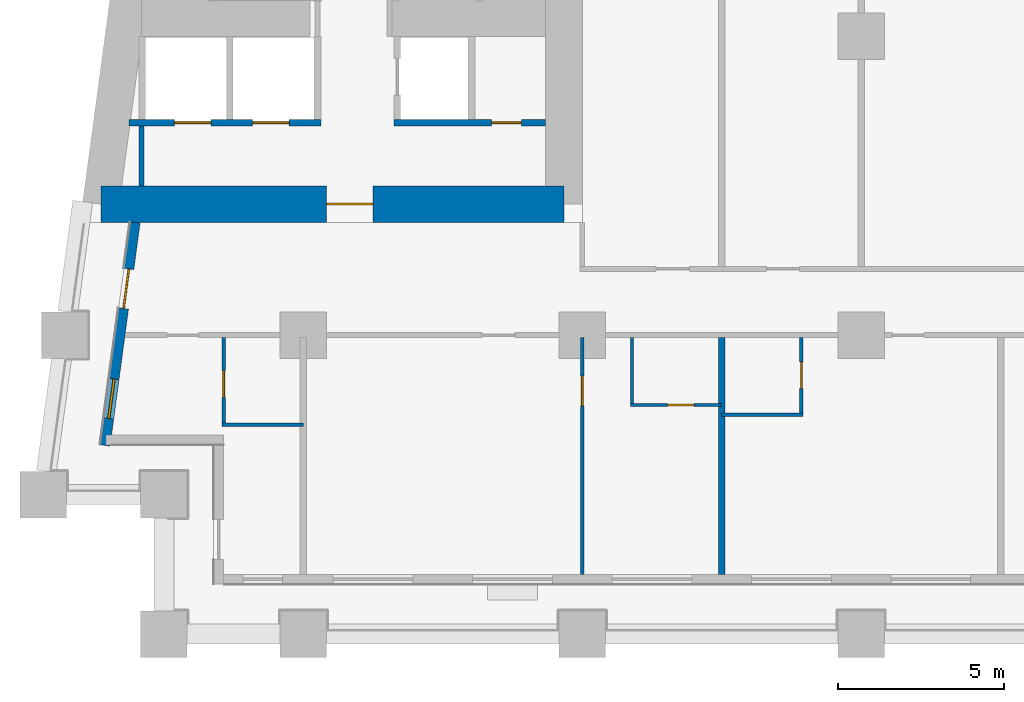
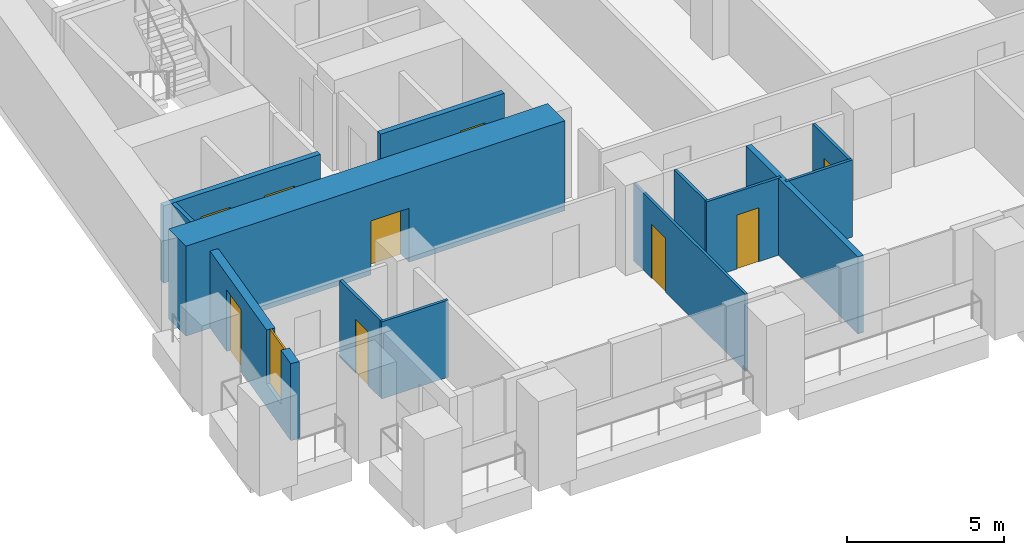
# One storey, part 2 of 12: 13 walls, 9 doors, 1 window, 10 openings.
"""IFC4 building model written with IfcOpenShell, lengths in metres."""

from ifc_helpers import new_model, si_unit, direction, frame, frame_2d, origin, place, context, subcontext, project, spatial, rectangle, extrude, material, layer, layer_set, type_object, element, fill, save


model = new_model("IFC4")

# Units and contexts
model_context = context("Model", 3, precision=1e-05, world=origin(), true_north=direction((0.0, 1.0)))
body_context = subcontext(model_context, "Body", "Model", "MODEL_VIEW")
ifc_project = project(units=[si_unit("LENGTHUNIT", "METRE"), si_unit("AREAUNIT", "SQUARE_METRE"), si_unit("VOLUMEUNIT", "CUBIC_METRE"), si_unit("PLANEANGLEUNIT", "RADIAN"), si_unit("MASSUNIT", "GRAM", prefix="KILO")], contexts=[model_context])

# Site, building, storey
site_placement = place(None, origin())
site = spatial("IfcSite", under=ifc_project, at=site_placement, CompositionType="ELEMENT")
building_placement = place(site_placement, origin())
building = spatial("IfcBuilding", under=site, at=building_placement, Name="Candeia Pilgrim Tower and Theatre", CompositionType="ELEMENT")
storey_placement = place(building_placement, frame((0.0, 0.0, 77.5)))
storey = spatial("IfcBuildingStorey", under=building, at=storey_placement, Name="L17", CompositionType="ELEMENT", Elevation=77.5)

# Wall, opening, door
ifc_material_1 = material(Name="Concrete C80/95", Category="concrete")
ifc_layer_1 = layer(ifc_material_1, 1.10009765625)
ifc_layer_set_1 = layer_set([ifc_layer_1], Name="Core wall 1100 C80/95")
wall_type_1 = type_object("IfcWallType", Name="Core wall 1100 C80/95", PredefinedType="SHEAR", material=ifc_layer_set_1)
wall_1_placement = place(storey_placement, frame((100.25, 110.949951171875, 0.0), z_axis=(0.0, 0.0, 1.0), x_axis=(-1.0, 0.0, 0.0)))
wall_1 = element("IfcWall", 1, at=wall_1_placement, inside=storey, type_object=wall_type_1, Name="Core wall W3", PredefinedType="SHEAR", context=body_context, shape_type="SweptSolid", body=[
    extrude(rectangle(XDim=13.95166015625, YDim=1.10009765625, at=frame_2d((6.975830078125, 0.0))), origin(), (0.0, 0.0, 1.0), 3.5),
])
opening_1_placement = place(wall_1_placement, frame((5.74755859375, 0.0, 0.0)))
opening_1 = element("IfcOpeningElement", 2, at=opening_1_placement, cuts=wall_1, Name="Opening L17-D046", PredefinedType="OPENING", context=body_context, shape_type="SweptSolid", body=[
    extrude(rectangle(XDim=1.39990234375, YDim=2.10009765625, at=frame_2d((0.699951171875, 1.050048828125))), frame((0.0, 0.56005859375, 0.0), z_axis=(0.0, -1.0, 0.0), x_axis=(1.0, 0.0, 0.0)), (0.0, 0.0, 1.0), 1.1201171875),
])
ifc_material_2 = material(Name="Steel fire door set", Category="steel")
door_type_1 = type_object("IfcDoorType", Name="D-1400-FD60", OperationType="NOTDEFINED", PredefinedType="DOOR", material=ifc_material_2)
door_1_placement = place(opening_1_placement, origin())
door_1 = element("IfcDoor", 3, at=door_1_placement, inside=storey, type_object=door_type_1, Name="Door L17-D046", OperationType="SINGLE_SWING_LEFT", OverallHeight=2.10009765625, OverallWidth=1.39990234375, PredefinedType="DOOR", context=body_context, shape_type="SweptSolid", body=[
    extrude(rectangle(XDim=1.39990234375, YDim=2.10009765625, at=frame_2d((0.699951171875, 1.050048828125))), frame((0.0, 0.02490234375, 0.0), z_axis=(0.0, -1.0, 0.0), x_axis=(1.0, 0.0, 0.0)), (0.0, 0.0, 1.0), 0.050048828125),
])
fill(opening_1, door_1)

# Wall, openings, door, window
ifc_material_3 = material(Name="Ceramic block masonry", Category="masonry")
ifc_layer_2 = layer(ifc_material_3, 0.300048828125)
ifc_layer_set_2 = layer_set([ifc_layer_2], Name="EW1 glazing-line wall 300")
wall_type_2 = type_object("IfcWallType", Name="EW1 glazing-line wall 300", PredefinedType="SOLIDWALL", material=ifc_layer_set_2)
wall_2_placement = place(storey_placement, frame((87.334228515625, 110.39990234375, 0.0), z_axis=(0.0, 0.0, 1.0), x_axis=(-0.133437175554, -0.991057273915, 0.0)))
wall_2 = element("IfcWall", 4, at=wall_2_placement, inside=storey, type_object=wall_type_2, Name="External wall L17-9.1", PredefinedType="SOLIDWALL", context=body_context, shape_type="SweptSolid", body=[
    extrude(rectangle(XDim=6.780517578125, YDim=0.300048828125, at=frame_2d((3.39013671875, 0.0))), origin(), (0.0, 0.0, 1.0), 3.0),
])
opening_2_placement = place(wall_2_placement, frame((1.41796875, 0.0, 0.0)))
opening_2 = element("IfcOpeningElement", 5, at=opening_2_placement, cuts=wall_2, Name="Opening L17-ED192", PredefinedType="OPENING", context=body_context, shape_type="SweptSolid", body=[
    extrude(rectangle(XDim=1.199951171875, YDim=2.39990234375, at=frame_2d((0.60009765625, 1.199951171875))), frame((0.0, 0.16015625, 0.0), z_axis=(0.0, -1.0, 0.0), x_axis=(1.0, 0.0, 0.0)), (0.0, 0.0, 1.0), 0.320068359375),
])
opening_3_placement = place(wall_2_placement, frame((4.75830078125, 0.0, 0.89990234375)))
opening_3 = element("IfcOpeningElement", 6, at=opening_3_placement, cuts=wall_2, Name="Opening W-B", PredefinedType="OPENING", context=body_context, shape_type="SweptSolid", body=[
    extrude(rectangle(XDim=1.199951171875, YDim=2.10009765625, at=frame_2d((0.60009765625, 1.050048828125))), frame((0.0, 0.16015625, 0.0), z_axis=(0.0, -1.0, 0.0), x_axis=(1.0, 0.0, 0.0)), (0.0, 0.0, 1.0), 0.320068359375),
])
ifc_material_4 = material(Name="Aluminium framed glazed door", Category="aluminium")
door_type_2 = type_object("IfcDoorType", Name="Loggia door 1200x2400", OperationType="DOUBLE_DOOR_SINGLE_SWING", PredefinedType="DOOR", material=ifc_material_4)
door_2_placement = place(opening_2_placement, origin())
door_2 = element("IfcDoor", 7, at=door_2_placement, inside=storey, type_object=door_type_2, Name="Loggia door L17-ED192", OperationType="DOUBLE_DOOR_SINGLE_SWING", OverallHeight=2.39990234375, OverallWidth=1.199951171875, PredefinedType="DOOR", context=body_context, shape_type="SweptSolid", body=[
    extrude(rectangle(XDim=1.199951171875, YDim=2.39990234375, at=frame_2d((0.60009765625, 1.199951171875))), frame((0.0, 0.02490234375, 0.0), z_axis=(0.0, -1.0, 0.0), x_axis=(1.0, 0.0, 0.0)), (0.0, 0.0, 1.0), 0.050048828125),
])
fill(opening_2, door_2)
ifc_material_5 = material(Name="Aluminium framed double glazing", Category="aluminium")
window_type = type_object("IfcWindowType", Name="W-B window 1200x2100", PartitioningType="SINGLE_PANEL", PredefinedType="WINDOW", material=ifc_material_5)
window_placement = place(opening_3_placement, origin())
window = element("IfcWindow", 8, at=window_placement, inside=storey, type_object=window_type, Name="Window W-B L17", OverallHeight=2.10009765625, OverallWidth=1.199951171875, PartitioningType="SINGLE_PANEL", PredefinedType="WINDOW", context=body_context, shape_type="SweptSolid", body=[
    extrude(rectangle(XDim=1.199951171875, YDim=2.10009765625, at=frame_2d((0.60009765625, 1.050048828125))), frame((0.0, 0.030029296875, 0.0), z_axis=(0.0, -1.0, 0.0), x_axis=(1.0, 0.0, 0.0)), (0.0, 0.0, 1.0), 0.06005859375),
])
fill(opening_3, window)

# Walls
ifc_material_6 = material(Name="Gypsum board partition on steel studs", Category="steel")
ifc_layer_3 = layer(ifc_material_6, 0.10009765625)
ifc_layer_set_3 = layer_set([ifc_layer_3], Name="PW-100 room partition")
wall_type_3 = type_object("IfcWallType", Name="PW-100 room partition", PredefinedType="PARTITIONING", material=ifc_layer_set_3)
for number, where, z_axis, x_axis, name in (
    (9, (89.949951171875, 104.300048828125, 0.0), (0.0, 0.0, 1.0), (1.0, 0.0, 0.0), "Room partition L17-001"),
    (10, (105.0, 104.60009765625, 0.0), (0.0, 0.0, 1.0), (1.0, 0.0, 0.0), "Room partition L17-004"),
):
    element("IfcWall", number, at=place(storey_placement, frame(where, z_axis=z_axis, x_axis=x_axis)), inside=storey, type_object=wall_type_3, Name=name, PredefinedType="PARTITIONING", context=body_context, shape_type="SweptSolid", body=[
        extrude(rectangle(XDim=2.449951171875, YDim=0.10009765625, at=frame_2d((1.22509765625, 0.0))), origin(), (0.0, 0.0, 1.0), 3.0),
    ])

# Wall, opening, door
wall_3_placement = place(storey_placement, frame((102.25, 104.89990234375, 0.0), z_axis=(0.0, 0.0, 1.0), x_axis=(1.0, 0.0, 0.0)))
wall_3 = element("IfcWall", 11, at=wall_3_placement, inside=storey, type_object=wall_type_3, Name="Room partition L17-005", PredefinedType="PARTITIONING", context=body_context, shape_type="SweptSolid", body=[
    extrude(rectangle(XDim=2.75, YDim=0.10009765625, at=frame_2d((1.375, 0.0))), origin(), (0.0, 0.0, 1.0), 3.0),
])
opening_4_placement = place(wall_3_placement, frame((1.1201171875, 0.0, 0.0)))
opening_4 = element("IfcOpeningElement", 12, at=opening_4_placement, cuts=wall_3, Name="Opening L17-D018", PredefinedType="OPENING", context=body_context, shape_type="SweptSolid", body=[
    extrude(rectangle(XDim=0.800048828125, YDim=2.10009765625, at=frame_2d((0.39990234375, 1.050048828125))), frame((0.0, 0.06005859375, 0.0), z_axis=(0.0, -1.0, 0.0), x_axis=(1.0, 0.0, 0.0)), (0.0, 0.0, 1.0), 0.1201171875),
])
ifc_material_7 = material(Name="Timber door leaf", Category="wood")
door_type_3 = type_object("IfcDoorType", Name="D-800", OperationType="NOTDEFINED", PredefinedType="DOOR", material=ifc_material_7)
door_3_placement = place(opening_4_placement, origin())
door_3 = element("IfcDoor", 13, at=door_3_placement, inside=storey, type_object=door_type_3, Name="Door L17-D018", OperationType="SINGLE_SWING_LEFT", OverallHeight=2.10009765625, OverallWidth=0.800048828125, PredefinedType="DOOR", context=body_context, shape_type="SweptSolid", body=[
    extrude(rectangle(XDim=0.800048828125, YDim=2.10009765625, at=frame_2d((0.39990234375, 1.050048828125))), frame((0.0, 0.02490234375, 0.0), z_axis=(0.0, -1.0, 0.0), x_axis=(1.0, 0.0, 0.0)), (0.0, 0.0, 1.0), 0.050048828125),
])
fill(opening_4, door_3)

wall_4_placement = place(storey_placement, frame((90.0, 104.35009765625, 0.0), z_axis=(0.0, 0.0, 1.0), x_axis=(0.0, 1.0, 0.0)))
wall_4 = element("IfcWall", 14, at=wall_4_placement, inside=storey, type_object=wall_type_3, Name="Room partition L17-047", PredefinedType="PARTITIONING", context=body_context, shape_type="SweptSolid", body=[
    extrude(rectangle(XDim=2.574951171875, YDim=0.10009765625, at=frame_2d((1.28759765625, 0.0))), origin(), (0.0, 0.0, 1.0), 3.0),
])
opening_5_placement = place(wall_4_placement, frame((0.780029296875, 0.0, 0.0)))
opening_5 = element("IfcOpeningElement", 15, at=opening_5_placement, cuts=wall_4, Name="Opening L17-D015", PredefinedType="OPENING", context=body_context, shape_type="SweptSolid", body=[
    extrude(rectangle(XDim=0.800048828125, YDim=2.10009765625, at=frame_2d((0.39990234375, 1.050048828125))), frame((0.0, 0.06005859375, 0.0), z_axis=(0.0, -1.0, 0.0), x_axis=(1.0, 0.0, 0.0)), (0.0, 0.0, 1.0), 0.1201171875),
])
door_4_placement = place(opening_5_placement, origin())
door_4 = element("IfcDoor", 16, at=door_4_placement, inside=storey, type_object=door_type_3, Name="Door L17-D015", OperationType="SINGLE_SWING_RIGHT", OverallHeight=2.10009765625, OverallWidth=0.800048828125, PredefinedType="DOOR", context=body_context, shape_type="SweptSolid", body=[
    extrude(rectangle(XDim=0.800048828125, YDim=2.10009765625, at=frame_2d((0.39990234375, 1.050048828125))), frame((0.0, 0.02490234375, 0.0), z_axis=(0.0, -1.0, 0.0), x_axis=(1.0, 0.0, 0.0)), (0.0, 0.0, 1.0), 0.050048828125),
])
fill(opening_5, door_4)

wall_5_placement = place(storey_placement, frame((100.800048828125, 99.7900390625, 0.0), z_axis=(0.0, 0.0, 1.0), x_axis=(0.0, 1.0, 0.0)))
wall_5 = element("IfcWall", 17, at=wall_5_placement, inside=storey, type_object=wall_type_3, Name="Room partition L17-063", PredefinedType="PARTITIONING", context=body_context, shape_type="SweptSolid", body=[
    extrude(rectangle(XDim=7.135009765625, YDim=0.10009765625, at=frame_2d((3.5673828125, 0.0))), origin(), (0.0, 0.0, 1.0), 3.0),
])
opening_6_placement = place(wall_5_placement, frame((5.074951171875, 0.0, 0.0)))
opening_6 = element("IfcOpeningElement", 18, at=opening_6_placement, cuts=wall_5, Name="Opening L17-D017", PredefinedType="OPENING", context=body_context, shape_type="SweptSolid", body=[
    extrude(rectangle(XDim=0.89990234375, YDim=2.10009765625, at=frame_2d((0.449951171875, 1.050048828125))), frame((0.0, 0.06005859375, 0.0), z_axis=(0.0, -1.0, 0.0), x_axis=(1.0, 0.0, 0.0)), (0.0, 0.0, 1.0), 0.1201171875),
])
door_type_4 = type_object("IfcDoorType", Name="D-900", OperationType="NOTDEFINED", PredefinedType="DOOR", material=ifc_material_7)
door_5_placement = place(opening_6_placement, origin())
door_5 = element("IfcDoor", 19, at=door_5_placement, inside=storey, type_object=door_type_4, Name="Door L17-D017", OperationType="SINGLE_SWING_RIGHT", OverallHeight=2.10009765625, OverallWidth=0.89990234375, PredefinedType="DOOR", context=body_context, shape_type="SweptSolid", body=[
    extrude(rectangle(XDim=0.89990234375, YDim=2.10009765625, at=frame_2d((0.449951171875, 1.050048828125))), frame((0.0, 0.02490234375, 0.0), z_axis=(0.0, -1.0, 0.0), x_axis=(1.0, 0.0, 0.0)), (0.0, 0.0, 1.0), 0.050048828125),
])
fill(opening_6, door_5)

# Wall
wall_6_placement = place(storey_placement, frame((102.300048828125, 104.949951171875, 0.0), z_axis=(0.0, 0.0, 1.0), x_axis=(0.0, 1.0, 0.0)))
element("IfcWall", 20, at=wall_6_placement, inside=storey, type_object=wall_type_3, Name="Room partition L17-067", PredefinedType="PARTITIONING", context=body_context, shape_type="SweptSolid", body=[
    extrude(rectangle(XDim=1.97509765625, YDim=0.10009765625, at=frame_2d((0.987548828125, 0.0))), origin(), (0.0, 0.0, 1.0), 3.0),
])

# Wall, opening, door
wall_7_placement = place(storey_placement, frame((107.39990234375, 104.64990234375, 0.0), z_axis=(0.0, 0.0, 1.0), x_axis=(0.0, 1.0, 0.0)))
wall_7 = element("IfcWall", 21, at=wall_7_placement, inside=storey, type_object=wall_type_3, Name="Room partition L17-071", PredefinedType="PARTITIONING", context=body_context, shape_type="SweptSolid", body=[
    extrude(rectangle(XDim=2.275146484375, YDim=0.10009765625, at=frame_2d((1.1376953125, 0.0))), origin(), (0.0, 0.0, 1.0), 3.0),
])
opening_7_placement = place(wall_7_placement, frame((0.75, 0.0, 0.0)))
opening_7 = element("IfcOpeningElement", 22, at=opening_7_placement, cuts=wall_7, Name="Opening L17-D020", PredefinedType="OPENING", context=body_context, shape_type="SweptSolid", body=[
    extrude(rectangle(XDim=0.800048828125, YDim=2.10009765625, at=frame_2d((0.39990234375, 1.050048828125))), frame((0.0, 0.06005859375, 0.0), z_axis=(0.0, -1.0, 0.0), x_axis=(1.0, 0.0, 0.0)), (0.0, 0.0, 1.0), 0.1201171875),
])
door_6_placement = place(opening_7_placement, origin())
door_6 = element("IfcDoor", 23, at=door_6_placement, inside=storey, type_object=door_type_3, Name="Door L17-D020", OperationType="SINGLE_SWING_LEFT", OverallHeight=2.10009765625, OverallWidth=0.800048828125, PredefinedType="DOOR", context=body_context, shape_type="SweptSolid", body=[
    extrude(rectangle(XDim=0.800048828125, YDim=2.10009765625, at=frame_2d((0.39990234375, 1.050048828125))), frame((0.0, 0.02490234375, 0.0), z_axis=(0.0, -1.0, 0.0), x_axis=(1.0, 0.0, 0.0)), (0.0, 0.0, 1.0), 0.050048828125),
])
fill(opening_7, door_6)

# Walls
ifc_layer_4 = layer(ifc_material_6, 0.14990234375)
ifc_layer_set_4 = layer_set([ifc_layer_4], Name="PW-150 lobby wall")
wall_type_4 = type_object("IfcWallType", Name="PW-150 lobby wall", PredefinedType="PARTITIONING", material=ifc_layer_set_4)
wall_8_placement = place(storey_placement, frame((87.530029296875, 111.5, 0.0), z_axis=(0.0, 0.0, 1.0), x_axis=(0.0, 1.0, 0.0)))
element("IfcWall", 24, at=wall_8_placement, inside=storey, type_object=wall_type_4, Name="Lobby wall L17-044", PredefinedType="PARTITIONING", context=body_context, shape_type="SweptSolid", body=[
    extrude(rectangle(XDim=1.800048828125, YDim=0.14990234375, at=frame_2d((0.89990234375, 0.0))), origin(), (0.0, 0.0, 1.0), 3.0),
])
ifc_layer_5 = layer(ifc_material_6, 0.199951171875)
ifc_layer_set_5 = layer_set([ifc_layer_5], Name="PW-200 party wall")
wall_type_5 = type_object("IfcWallType", Name="PW-200 party wall", PredefinedType="PARTITIONING", material=ifc_layer_set_5)
wall_9_placement = place(storey_placement, frame((105.0, 99.7900390625, 0.0), z_axis=(0.0, 0.0, 1.0), x_axis=(0.0, 1.0, 0.0)))
element("IfcWall", 25, at=wall_9_placement, inside=storey, type_object=wall_type_5, Name="Party wall L17-068", PredefinedType="PARTITIONING", context=body_context, shape_type="SweptSolid", body=[
    extrude(rectangle(XDim=7.135009765625, YDim=0.199951171875, at=frame_2d((3.5673828125, 0.0))), origin(), (0.0, 0.0, 1.0), 3.0),
])

# Wall, openings, doors
ifc_material_8 = material(Name="Concrete C40/50", Category="concrete")
ifc_layer_6 = layer(ifc_material_8, 0.199951171875)
ifc_layer_set_6 = layer_set([ifc_layer_6], Name="SW-200 shaft wall")
wall_type_6 = type_object("IfcWallType", Name="SW-200 shaft wall", PredefinedType="PARTITIONING", material=ifc_layer_set_6)
wall_10_placement = place(storey_placement, frame((87.153076171875, 113.39990234375, 0.0), z_axis=(0.0, 0.0, 1.0), x_axis=(1.0, 0.0, 0.0)))
wall_10 = element("IfcWall", 26, at=wall_10_placement, inside=storey, type_object=wall_type_6, Name="Shaft wall L17-009", PredefinedType="PARTITIONING", context=body_context, shape_type="SweptSolid", body=[
    extrude(rectangle(XDim=5.77392578125, YDim=0.199951171875, at=frame_2d((2.886962890625, 0.0))), origin(), (0.0, 0.0, 1.0), 3.0),
])
opening_8_placement = place(wall_10_placement, frame((1.363037109375, 0.0, 0.0)))
opening_8 = element("IfcOpeningElement", 27, at=opening_8_placement, cuts=wall_10, Name="Opening L17-LD03", PredefinedType="OPENING", context=body_context, shape_type="SweptSolid", body=[
    extrude(rectangle(XDim=1.10009765625, YDim=2.10009765625, at=frame_2d((0.550048828125, 1.050048828125))), frame((0.0, 0.10986328125, 0.0), z_axis=(0.0, -1.0, 0.0), x_axis=(1.0, 0.0, 0.0)), (0.0, 0.0, 1.0), 0.219970703125),
])
opening_9_placement = place(wall_10_placement, frame((3.715087890625, 0.0, 0.0)))
opening_9 = element("IfcOpeningElement", 28, at=opening_9_placement, cuts=wall_10, Name="Opening L17-LD04", PredefinedType="OPENING", context=body_context, shape_type="SweptSolid", body=[
    extrude(rectangle(XDim=1.10009765625, YDim=2.10009765625, at=frame_2d((0.550048828125, 1.050048828125))), frame((0.0, 0.10986328125, 0.0), z_axis=(0.0, -1.0, 0.0), x_axis=(1.0, 0.0, 0.0)), (0.0, 0.0, 1.0), 0.219970703125),
])
ifc_material_9 = material(Name="Glazed aluminium landing door", Category="aluminium")
door_type_5 = type_object("IfcDoorType", Name="LD-1100-EI120", OperationType="SLIDING_TO_LEFT", PredefinedType="DOOR", material=ifc_material_9)
door_7_placement = place(opening_8_placement, origin())
door_7 = element("IfcDoor", 29, at=door_7_placement, inside=storey, type_object=door_type_5, Name="Landing door 03 L17", OperationType="SLIDING_TO_LEFT", OverallHeight=2.10009765625, OverallWidth=1.10009765625, PredefinedType="DOOR", context=body_context, shape_type="SweptSolid", body=[
    extrude(rectangle(XDim=1.10009765625, YDim=2.10009765625, at=frame_2d((0.550048828125, 1.050048828125))), frame((0.0, 0.02490234375, 0.0), z_axis=(0.0, -1.0, 0.0), x_axis=(1.0, 0.0, 0.0)), (0.0, 0.0, 1.0), 0.050048828125),
])
fill(opening_8, door_7)
door_8_placement = place(opening_9_placement, origin())
door_8 = element("IfcDoor", 30, at=door_8_placement, inside=storey, type_object=door_type_5, Name="Landing door 04 L17", OperationType="SLIDING_TO_LEFT", OverallHeight=2.10009765625, OverallWidth=1.10009765625, PredefinedType="DOOR", context=body_context, shape_type="SweptSolid", body=[
    extrude(rectangle(XDim=1.10009765625, YDim=2.10009765625, at=frame_2d((0.550048828125, 1.050048828125))), frame((0.0, 0.02490234375, 0.0), z_axis=(0.0, -1.0, 0.0), x_axis=(1.0, 0.0, 0.0)), (0.0, 0.0, 1.0), 0.050048828125),
])
fill(opening_9, door_8)

# Wall, opening, door
wall_11_placement = place(storey_placement, frame((95.126953125, 113.39990234375, 0.0), z_axis=(0.0, 0.0, 1.0), x_axis=(1.0, 0.0, 0.0)))
wall_11 = element("IfcWall", 31, at=wall_11_placement, inside=storey, type_object=wall_type_6, Name="Shaft wall L17-010", PredefinedType="PARTITIONING", context=body_context, shape_type="SweptSolid", body=[
    extrude(rectangle(XDim=4.572998046875, YDim=0.199951171875, at=frame_2d((2.28662109375, 0.0))), origin(), (0.0, 0.0, 1.0), 3.0),
])
opening_10_placement = place(wall_11_placement, frame((2.94091796875, 0.0, 0.0)))
opening_10 = element("IfcOpeningElement", 32, at=opening_10_placement, cuts=wall_11, Name="Opening L17-D006", PredefinedType="OPENING", context=body_context, shape_type="SweptSolid", body=[
    extrude(rectangle(XDim=0.89990234375, YDim=2.10009765625, at=frame_2d((0.449951171875, 1.050048828125))), frame((0.0, 0.10986328125, 0.0), z_axis=(0.0, -1.0, 0.0), x_axis=(1.0, 0.0, 0.0)), (0.0, 0.0, 1.0), 0.219970703125),
])
door_type_6 = type_object("IfcDoorType", Name="D-900-FD60", OperationType="NOTDEFINED", PredefinedType="DOOR", material=ifc_material_2)
door_9_placement = place(opening_10_placement, origin())
door_9 = element("IfcDoor", 33, at=door_9_placement, inside=storey, type_object=door_type_6, Name="Door L17-D006", OperationType="SINGLE_SWING_RIGHT", OverallHeight=2.10009765625, OverallWidth=0.89990234375, PredefinedType="DOOR", context=body_context, shape_type="SweptSolid", body=[
    extrude(rectangle(XDim=0.89990234375, YDim=2.10009765625, at=frame_2d((0.449951171875, 1.050048828125))), frame((0.0, 0.02490234375, 0.0), z_axis=(0.0, -1.0, 0.0), x_axis=(1.0, 0.0, 0.0)), (0.0, 0.0, 1.0), 0.050048828125),
])
fill(opening_10, door_9)

save(model, "model.ifc")
